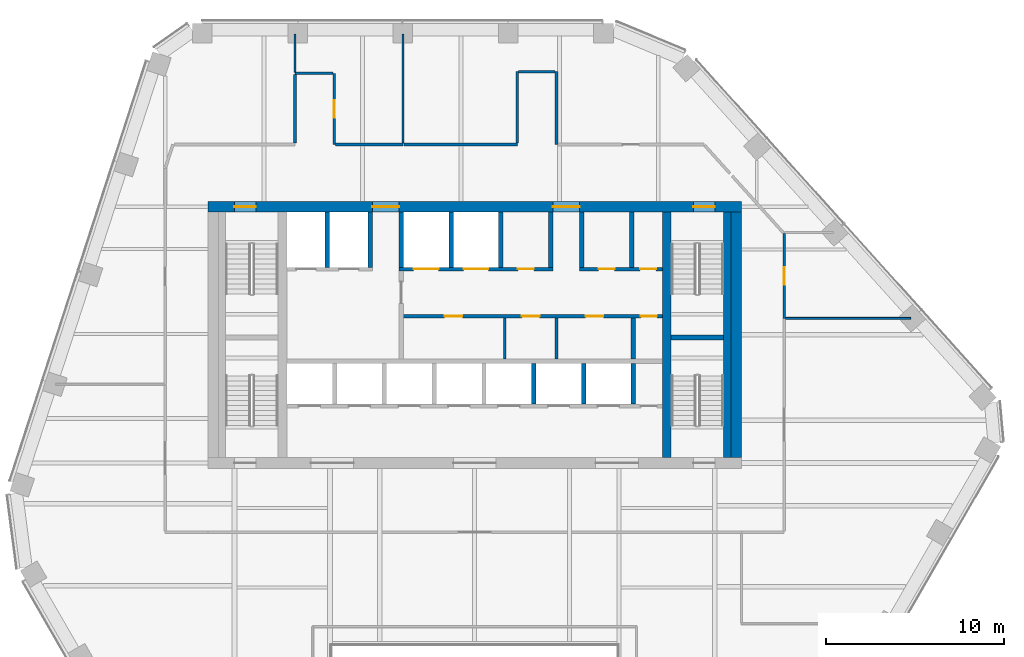
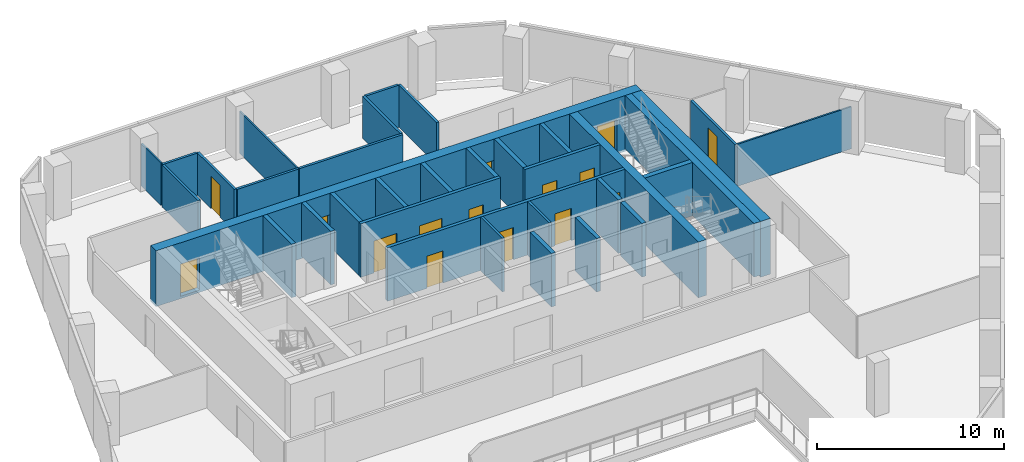
# One storey, part 10 of 15: 34 walls, 15 doors, 15 openings.
"""IFC4 building model written with IfcOpenShell, lengths in metres."""

from ifc_helpers import new_model, si_unit, direction, frame, frame_2d, origin, place, context, subcontext, project, spatial, rectangle, extrude, material, layer, layer_set, type_object, element, fill, save


model = new_model("IFC4")

# Units and contexts
model_context = context("Model", 3, precision=1e-05, world=origin(), true_north=direction((0.0, 1.0)))
body_context = subcontext(model_context, "Body", "Model", "MODEL_VIEW")
ifc_project = project(units=[si_unit("LENGTHUNIT", "METRE"), si_unit("AREAUNIT", "SQUARE_METRE"), si_unit("VOLUMEUNIT", "CUBIC_METRE"), si_unit("PLANEANGLEUNIT", "RADIAN"), si_unit("MASSUNIT", "GRAM", prefix="KILO")], contexts=[model_context])

# Site, building, storey
site_placement = place(None, origin())
site = spatial("IfcSite", under=ifc_project, at=site_placement, CompositionType="ELEMENT")
building_placement = place(site_placement, origin())
building = spatial("IfcBuilding", under=site, at=building_placement, Name="Isthmus Gate Tower", CompositionType="ELEMENT")
storey_placement = place(building_placement, frame((0.0, 0.0, 241.85009765625)))
storey = spatial("IfcBuildingStorey", under=building, at=storey_placement, Name="L61", CompositionType="ELEMENT", Elevation=241.85009765625)

# Wall, opening, door
ifc_material_1 = material(Name="Gypsum board on steel studs, fire-rated", Category="steel")
ifc_layer_1 = layer(ifc_material_1, 0.14990234375)
ifc_layer_set_1 = layer_set([ifc_layer_1], Name="CORRIDOR WALL 150 60 MIN")
wall_type_1 = type_object("IfcWallType", Name="CORRIDOR WALL 150 60 MIN", PredefinedType="PARTITIONING", material=ifc_layer_set_1)
wall_1_placement = place(storey_placement, frame((-7.89990234375, 22.199951171875, 0.0), z_axis=(0.0, 0.0, 1.0), x_axis=(0.0, -1.0, 0.0)))
wall_1 = element("IfcWall", 1, at=wall_1_placement, inside=storey, type_object=wall_type_1, Name="L61 Corridor Wall 150 60 Min", PredefinedType="PARTITIONING", context=body_context, shape_type="SweptSolid", body=[
    extrude(rectangle(XDim=4.0, YDim=0.14990234375, at=frame_2d((2.0, 0.0))), origin(), (0.0, 0.0, 1.0), 2.75048828125),
])
opening_1_placement = place(wall_1_placement, frame((1.5, 0.0, 0.0)))
opening_1 = element("IfcOpeningElement", 2, at=opening_1_placement, cuts=wall_1, Name="Opening DT-T5C-01", PredefinedType="OPENING", context=body_context, shape_type="SweptSolid", body=[
    extrude(rectangle(XDim=1.0, YDim=2.10009765625, at=frame_2d((0.5, 1.050048828125))), frame((0.0, 0.0849609375, 0.0), z_axis=(0.0, -1.0, 0.0), x_axis=(1.0, 0.0, 0.0)), (0.0, 0.0, 1.0), 0.169921875),
])
ifc_material_2 = material(Name="Solid core timber door leaf, fire-rated", Category="wood")
door_type_1 = type_object("IfcDoorType", Name="FIRE DOOR ROOM 1000 X 2100 60 MIN", OperationType="SINGLE_SWING_LEFT", PredefinedType="DOOR", material=ifc_material_2)
door_1_placement = place(opening_1_placement, origin())
door_1 = element("IfcDoor", 3, at=door_1_placement, inside=storey, type_object=door_type_1, Name="L61 room door", OperationType="SINGLE_SWING_RIGHT", OverallHeight=2.10009765625, OverallWidth=1.0, PredefinedType="DOOR", context=body_context, shape_type="SweptSolid", body=[
    extrude(rectangle(XDim=1.0, YDim=2.10009765625, at=frame_2d((0.5, 1.050048828125))), frame((0.0, 0.02490234375, 0.0), z_axis=(0.0, -1.0, 0.0), x_axis=(1.0, 0.0, 0.0)), (0.0, 0.0, 1.0), 0.050048828125),
])
fill(opening_1, door_1)

# Wall
wall_2_placement = place(storey_placement, frame((4.60009765625, 22.300048828125, 0.0), z_axis=(0.0, 0.0, 1.0), x_axis=(0.0, -1.0, 0.0)))
element("IfcWall", 4, at=wall_2_placement, inside=storey, type_object=wall_type_1, Name="L61 Corridor Wall 150 60 Min", PredefinedType="PARTITIONING", context=body_context, shape_type="SweptSolid", body=[
    extrude(rectangle(XDim=4.10009765625, YDim=0.14990234375, at=frame_2d((2.050048828125, 0.0))), origin(), (0.0, 0.0, 1.0), 2.75048828125),
])

# Wall, opening, door
wall_3_placement = place(storey_placement, frame((17.39990234375, 13.18603515625, 0.0), z_axis=(0.0, 0.0, 1.0), x_axis=(0.0, -1.0, 0.0)))
wall_3 = element("IfcWall", 5, at=wall_3_placement, inside=storey, type_object=wall_type_1, Name="L61 Corridor Wall 150 60 Min", PredefinedType="PARTITIONING", context=body_context, shape_type="SweptSolid", body=[
    extrude(rectangle(XDim=4.758056640625, YDim=0.14990234375, at=frame_2d((2.37890625, 0.0))), origin(), (0.0, 0.0, 1.0), 2.75048828125),
])
opening_2_placement = place(wall_3_placement, frame((1.87890625, 0.0, 0.0)))
opening_2 = element("IfcOpeningElement", 6, at=opening_2_placement, cuts=wall_3, Name="Opening DT-T5C-04", PredefinedType="OPENING", context=body_context, shape_type="SweptSolid", body=[
    extrude(rectangle(XDim=1.0, YDim=2.10009765625, at=frame_2d((0.5, 1.050048828125))), frame((0.0, 0.0849609375, 0.0), z_axis=(0.0, -1.0, 0.0), x_axis=(1.0, 0.0, 0.0)), (0.0, 0.0, 1.0), 0.169921875),
])
door_2_placement = place(opening_2_placement, origin())
door_2 = element("IfcDoor", 7, at=door_2_placement, inside=storey, type_object=door_type_1, Name="L61 room door", OperationType="SINGLE_SWING_RIGHT", OverallHeight=2.10009765625, OverallWidth=1.0, PredefinedType="DOOR", context=body_context, shape_type="SweptSolid", body=[
    extrude(rectangle(XDim=1.0, YDim=2.10009765625, at=frame_2d((0.5, 1.050048828125))), frame((0.0, 0.02490234375, 0.0), z_axis=(0.0, -1.0, 0.0), x_axis=(1.0, 0.0, 0.0)), (0.0, 0.0, 1.0), 0.050048828125),
])
fill(opening_2, door_2)

# Walls
wall_4_placement = place(storey_placement, frame((-10.10009765625, 22.199951171875, 0.0), z_axis=(0.0, 0.0, 1.0), x_axis=(1.0, 0.0, 0.0)))
element("IfcWall", 8, at=wall_4_placement, inside=storey, type_object=wall_type_1, Name="L61 Corridor Wall 150 60 Min", PredefinedType="PARTITIONING", context=body_context, shape_type="SweptSolid", body=[
    extrude(rectangle(XDim=2.125, YDim=0.14990234375, at=frame_2d((1.0625, 0.0))), origin(), (0.0, 0.0, 1.0), 2.75048828125),
])
wall_5_placement = place(storey_placement, frame((-7.824951171875, 18.199951171875, 0.0), z_axis=(0.0, 0.0, 1.0), x_axis=(1.0, 0.0, 0.0)))
element("IfcWall", 9, at=wall_5_placement, inside=storey, type_object=wall_type_1, Name="L61 Corridor Wall 150 60 Min", PredefinedType="PARTITIONING", context=body_context, shape_type="SweptSolid", body=[
    extrude(rectangle(XDim=3.794921875, YDim=0.14990234375, at=frame_2d((1.8974609375, 0.0))), origin(), (0.0, 0.0, 1.0), 2.75048828125),
])
wall_6_placement = place(storey_placement, frame((-10.10009765625, 18.27490234375, 0.0), z_axis=(0.0, 0.0, 1.0), x_axis=(0.0, 1.0, 0.0)))
element("IfcWall", 10, at=wall_6_placement, inside=storey, type_object=wall_type_1, Name="L61 Corridor Wall 150 60 Min", PredefinedType="PARTITIONING", context=body_context, shape_type="SweptSolid", body=[
    extrude(rectangle(XDim=3.85009765625, YDim=0.14990234375, at=frame_2d((1.925048828125, 0.0))), origin(), (0.0, 0.0, 1.0), 2.75048828125),
])
wall_7_placement = place(storey_placement, frame((-3.97998046875, 18.199951171875, 0.0), z_axis=(0.0, 0.0, 1.0), x_axis=(1.0, 0.0, 0.0)))
element("IfcWall", 11, at=wall_7_placement, inside=storey, type_object=wall_type_1, Name="L61 Corridor Wall 150 60 Min", PredefinedType="PARTITIONING", context=body_context, shape_type="SweptSolid", body=[
    extrude(rectangle(XDim=6.3798828125, YDim=0.14990234375, at=frame_2d((3.18994140625, 0.0))), origin(), (0.0, 0.0, 1.0), 2.75048828125),
])
wall_8_placement = place(storey_placement, frame((2.39990234375, 18.27490234375, 0.0), z_axis=(0.0, 0.0, 1.0), x_axis=(0.0, 1.0, 0.0)))
element("IfcWall", 12, at=wall_8_placement, inside=storey, type_object=wall_type_1, Name="L61 Corridor Wall 150 60 Min", PredefinedType="PARTITIONING", context=body_context, shape_type="SweptSolid", body=[
    extrude(rectangle(XDim=4.025146484375, YDim=0.14990234375, at=frame_2d((2.0126953125, 0.0))), origin(), (0.0, 0.0, 1.0), 2.75048828125),
])
wall_9_placement = place(storey_placement, frame((2.47509765625, 22.300048828125, 0.0), z_axis=(0.0, 0.0, 1.0), x_axis=(1.0, 0.0, 0.0)))
element("IfcWall", 13, at=wall_9_placement, inside=storey, type_object=wall_type_1, Name="L61 Corridor Wall 150 60 Min", PredefinedType="PARTITIONING", context=body_context, shape_type="SweptSolid", body=[
    extrude(rectangle(XDim=2.0498046875, YDim=0.14990234375, at=frame_2d((1.02490234375, 0.0))), origin(), (0.0, 0.0, 1.0), 2.75048828125),
])
ifc_material_3 = material(Name="Concrete f'c 50 MPa", Category="concrete")
ifc_layer_2 = layer(ifc_material_3, 0.5)
ifc_layer_set_2 = layer_set([ifc_layer_2], Name="RC CORE SPINE WALL 500 F'C 50")
wall_type_2 = type_object("IfcWallType", Name="RC CORE SPINE WALL 500 F'C 50", PredefinedType="SOLIDWALL", material=ifc_layer_set_2)
wall_10_placement = place(storey_placement, frame((10.800048828125, 0.60009765625, -0.150146484375), z_axis=(0.0, 0.0, 1.0), x_axis=(0.0, 1.0, 0.0)))
element("IfcWall", 14, at=wall_10_placement, inside=storey, type_object=wall_type_2, Name="str-corewall-L61-SPE", PredefinedType="SOLIDWALL", context=body_context, shape_type="SweptSolid", body=[
    extrude(rectangle(XDim=13.7998046875, YDim=0.5, at=frame_2d((6.89990234375, 0.0))), origin(), (0.0, 0.0, 1.0), 3.650146484375),
])

# Wall, openings, doors
ifc_material_4 = material(Name="Concrete f'c 50 MPa", Category="concrete")
ifc_layer_3 = layer(ifc_material_4, 0.60009765625)
ifc_layer_set_3 = layer_set([ifc_layer_3], Name="RC CORE WALL 600 F'C 50")
wall_type_3 = type_object("IfcWallType", Name="RC CORE WALL 600 F'C 50", PredefinedType="SOLIDWALL", material=ifc_layer_set_3)
wall_11_placement = place(storey_placement, frame((-15.0, 14.699951171875, -0.150146484375), z_axis=(0.0, 0.0, 1.0), x_axis=(1.0, 0.0, 0.0)))
wall_11 = element("IfcWall", 15, at=wall_11_placement, inside=storey, type_object=wall_type_3, Name="str-corewall-L61-N", PredefinedType="SOLIDWALL", context=body_context, shape_type="SweptSolid", body=[
    extrude(rectangle(XDim=30.0, YDim=0.60009765625, at=frame_2d((15.0, 0.0))), origin(), (0.0, 0.0, 1.0), 3.650146484375),
])
opening_3_placement = place(wall_11_placement, frame((9.25, 0.0, 0.14990234375)))
opening_3 = element("IfcOpeningElement", 16, at=opening_3_placement, cuts=wall_11, Name="Opening DC-A19-13", PredefinedType="OPENING", context=body_context, shape_type="SweptSolid", body=[
    extrude(rectangle(XDim=1.5, YDim=2.10009765625, at=frame_2d((0.75, 1.050048828125))), frame((0.0, 0.31005859375, 0.0), z_axis=(0.0, -1.0, 0.0), x_axis=(1.0, 0.0, 0.0)), (0.0, 0.0, 1.0), 0.6201171875),
])
opening_4_placement = place(wall_11_placement, frame((19.39990234375, 0.0, 0.14990234375)))
opening_4 = element("IfcOpeningElement", 17, at=opening_4_placement, cuts=wall_11, Name="Opening DC-A19-14", PredefinedType="OPENING", context=body_context, shape_type="SweptSolid", body=[
    extrude(rectangle(XDim=1.5, YDim=2.10009765625, at=frame_2d((0.75, 1.050048828125))), frame((0.0, 0.31005859375, 0.0), z_axis=(0.0, -1.0, 0.0), x_axis=(1.0, 0.0, 0.0)), (0.0, 0.0, 1.0), 0.6201171875),
])
opening_5_placement = place(wall_11_placement, frame((1.5, 0.0, 0.14990234375)))
opening_5 = element("IfcOpeningElement", 18, at=opening_5_placement, cuts=wall_11, Name="Opening DC-A19-15", PredefinedType="OPENING", context=body_context, shape_type="SweptSolid", body=[
    extrude(rectangle(XDim=1.199951171875, YDim=2.10009765625, at=frame_2d((0.60009765625, 1.050048828125))), frame((0.0, 0.31005859375, 0.0), z_axis=(0.0, -1.0, 0.0), x_axis=(1.0, 0.0, 0.0)), (0.0, 0.0, 1.0), 0.6201171875),
])
opening_6_placement = place(wall_11_placement, frame((27.300048828125, 0.0, 0.14990234375)))
opening_6 = element("IfcOpeningElement", 19, at=opening_6_placement, cuts=wall_11, Name="Opening DC-A19-16", PredefinedType="OPENING", context=body_context, shape_type="SweptSolid", body=[
    extrude(rectangle(XDim=1.199951171875, YDim=2.10009765625, at=frame_2d((0.60009765625, 1.050048828125))), frame((0.0, 0.31005859375, 0.0), z_axis=(0.0, -1.0, 0.0), x_axis=(1.0, 0.0, 0.0)), (0.0, 0.0, 1.0), 0.6201171875),
])
ifc_material_5 = material(Name="Steel door leaf, fire-rated", Category="steel")
door_type_2 = type_object("IfcDoorType", Name="LOBBY FIRE DOOR 1500 X 2100 60 MIN", OperationType="DOUBLE_DOOR_SINGLE_SWING", PredefinedType="DOOR", material=ifc_material_5)
door_3_placement = place(opening_4_placement, origin())
door_3 = element("IfcDoor", 20, at=door_3_placement, inside=storey, type_object=door_type_2, Name="Lobby Door PN-E", OperationType="DOUBLE_DOOR_SINGLE_SWING", OverallHeight=2.10009765625, OverallWidth=1.5, PredefinedType="DOOR", context=body_context, shape_type="SweptSolid", body=[
    extrude(rectangle(XDim=1.5, YDim=2.10009765625, at=frame_2d((0.75, 1.050048828125))), frame((0.0, 0.02490234375, 0.0), z_axis=(0.0, -1.0, 0.0), x_axis=(1.0, 0.0, 0.0)), (0.0, 0.0, 1.0), 0.050048828125),
])
fill(opening_4, door_3)
ifc_material_6 = material(Name="Steel door leaf, fire-rated", Category="steel")
door_type_3 = type_object("IfcDoorType", Name="LOBBY FIRE DOOR 1500 X 2100 90 MIN", OperationType="DOUBLE_DOOR_SINGLE_SWING", PredefinedType="DOOR", material=ifc_material_6)
door_4_placement = place(opening_3_placement, origin())
door_4 = element("IfcDoor", 21, at=door_4_placement, inside=storey, type_object=door_type_3, Name="Lobby Door PN-W", OperationType="DOUBLE_DOOR_SINGLE_SWING", OverallHeight=2.10009765625, OverallWidth=1.5, PredefinedType="DOOR", context=body_context, shape_type="SweptSolid", body=[
    extrude(rectangle(XDim=1.5, YDim=2.10009765625, at=frame_2d((0.75, 1.050048828125))), frame((0.0, 0.02490234375, 0.0), z_axis=(0.0, -1.0, 0.0), x_axis=(1.0, 0.0, 0.0)), (0.0, 0.0, 1.0), 0.050048828125),
])
fill(opening_3, door_4)
ifc_material_7 = material(Name="Steel door leaf, fire-rated", Category="steel")
door_type_4 = type_object("IfcDoorType", Name="STAIR FIRE DOOR 1200 X 2100 90 MIN", OperationType="SINGLE_SWING_LEFT", PredefinedType="DOOR", material=ifc_material_7)
door_5_placement = place(opening_5_placement, origin())
door_5 = element("IfcDoor", 22, at=door_5_placement, inside=storey, type_object=door_type_4, Name="Exit Stair 1 Door", OperationType="SINGLE_SWING_RIGHT", OverallHeight=2.10009765625, OverallWidth=1.199951171875, PredefinedType="DOOR", context=body_context, shape_type="SweptSolid", body=[
    extrude(rectangle(XDim=1.199951171875, YDim=2.10009765625, at=frame_2d((0.60009765625, 1.050048828125))), frame((0.0, 0.02490234375, 0.0), z_axis=(0.0, -1.0, 0.0), x_axis=(1.0, 0.0, 0.0)), (0.0, 0.0, 1.0), 0.050048828125),
])
fill(opening_5, door_5)
door_6_placement = place(opening_6_placement, origin())
door_6 = element("IfcDoor", 23, at=door_6_placement, inside=storey, type_object=door_type_4, Name="Exit Stair 2 Door", OperationType="SINGLE_SWING_LEFT", OverallHeight=2.10009765625, OverallWidth=1.199951171875, PredefinedType="DOOR", context=body_context, shape_type="SweptSolid", body=[
    extrude(rectangle(XDim=1.199951171875, YDim=2.10009765625, at=frame_2d((0.60009765625, 1.050048828125))), frame((0.0, 0.02490234375, 0.0), z_axis=(0.0, -1.0, 0.0), x_axis=(1.0, 0.0, 0.0)), (0.0, 0.0, 1.0), 0.050048828125),
])
fill(opening_6, door_6)

# Walls
wall_12_placement = place(storey_placement, frame((14.699951171875, 0.60009765625, -0.150146484375), z_axis=(0.0, 0.0, 1.0), x_axis=(0.0, 1.0, 0.0)))
element("IfcWall", 24, at=wall_12_placement, inside=storey, type_object=wall_type_3, Name="str-corewall-L61-E", PredefinedType="SOLIDWALL", context=body_context, shape_type="SweptSolid", body=[
    extrude(rectangle(XDim=13.7998046875, YDim=0.60009765625, at=frame_2d((6.89990234375, 0.0))), origin(), (0.0, 0.0, 1.0), 3.650146484375),
])
ifc_material_8 = material(Name="Gypsum board on steel studs, fire-rated", Category="steel")
ifc_layer_4 = layer(ifc_material_8, 0.10009765625)
ifc_layer_set_4 = layer_set([ifc_layer_4], Name="ROOM PARTITION 100 30 MIN")
wall_type_4 = type_object("IfcWallType", Name="ROOM PARTITION 100 30 MIN", PredefinedType="PARTITIONING", material=ifc_layer_set_4)
wall_13_placement = place(storey_placement, frame((-4.030029296875, 18.27490234375, 0.0), z_axis=(0.0, 0.0, 1.0), x_axis=(0.0, 1.0, 0.0)))
element("IfcWall", 25, at=wall_13_placement, inside=storey, type_object=wall_type_4, Name="L61 Room Partition 100 30 Min", PredefinedType="PARTITIONING", context=body_context, shape_type="SweptSolid", body=[
    extrude(rectangle(XDim=6.125, YDim=0.10009765625, at=frame_2d((3.0625, 0.0))), origin(), (0.0, 0.0, 1.0), 2.75048828125),
])
wall_14_placement = place(storey_placement, frame((-10.101806640625, 22.27490234375, 0.0), z_axis=(0.0, 0.0, 1.0), x_axis=(0.000804227681, 0.999999676609, 0.0)))
element("IfcWall", 26, at=wall_14_placement, inside=storey, type_object=wall_type_4, Name="L61 Room Partition 100 30 Min", PredefinedType="PARTITIONING", context=body_context, shape_type="SweptSolid", body=[
    extrude(rectangle(XDim=2.125, YDim=0.10009765625, at=frame_2d((1.0625, 0.0))), origin(), (0.0, 0.0, 1.0), 2.75048828125),
])
wall_15_placement = place(storey_placement, frame((17.47509765625, 8.427978515625, 0.0), z_axis=(0.0, 0.0, 1.0), x_axis=(1.0, 0.0, 0.0)))
element("IfcWall", 27, at=wall_15_placement, inside=storey, type_object=wall_type_4, Name="L61 Room Partition 100 30 Min", PredefinedType="PARTITIONING", context=body_context, shape_type="SweptSolid", body=[
    extrude(rectangle(XDim=7.034912109375, YDim=0.10009765625, at=frame_2d((3.517578125, 0.0))), origin(), (0.0, 0.0, 1.0), 2.75048828125),
])
ifc_material_9 = material(Name="Gypsum board on steel studs, fire-rated", Category="steel")
ifc_layer_5 = layer(ifc_material_9, 0.14990234375)
ifc_layer_set_5 = layer_set([ifc_layer_5], Name="ROOM PARTITION 150 60 MIN")
wall_type_5 = type_object("IfcWallType", Name="ROOM PARTITION 150 60 MIN", PredefinedType="PARTITIONING", material=ifc_layer_set_5)
for number, where, z_axis, x_axis, name in (
    (28, (1.699951171875, 6.14990234375, 0.0), (0.0, 0.0, 1.0), (0.0, 1.0, 0.0), "L61 ROOM PARTITION 150 60 MIN"),
    (29, (4.60009765625, 6.14990234375, 0.0), (0.0, 0.0, 1.0), (0.0, 1.0, 0.0), "L61 ROOM PARTITION 150 60 MIN"),
):
    element("IfcWall", number, at=place(storey_placement, frame(where, z_axis=z_axis, x_axis=x_axis)), inside=storey, type_object=wall_type_5, Name=name, PredefinedType="PARTITIONING", context=body_context, shape_type="SweptSolid", body=[
        extrude(rectangle(XDim=2.300048828125, YDim=0.14990234375, at=frame_2d((1.14990234375, 0.0))), origin(), (0.0, 0.0, 1.0), 3.5),
    ])

# Wall, openings, doors
ifc_material_10 = material(Name="Fire-rated blockwork masonry, 15 MPa", Category="masonry")
ifc_layer_6 = layer(ifc_material_10, 0.199951171875)
ifc_layer_set_6 = layer_set([ifc_layer_6], Name="SHAFT FRONT WALL 200 120 MIN")
wall_type_6 = type_object("IfcWallType", Name="SHAFT FRONT WALL 200 120 MIN", PredefinedType="PARTITIONING", material=ifc_layer_set_6)
wall_16_placement = place(storey_placement, frame((-4.125, 8.550048828125, 0.0), z_axis=(0.0, 0.0, 1.0), x_axis=(1.0, 0.0, 0.0)))
wall_16 = element("IfcWall", 30, at=wall_16_placement, inside=storey, type_object=wall_type_6, Name="L61 SHAFT FRONT WALL 200 120 MIN", PredefinedType="PARTITIONING", context=body_context, shape_type="SweptSolid", body=[
    extrude(rectangle(XDim=14.675048828125, YDim=0.199951171875, at=frame_2d((7.33740234375, 0.0))), origin(), (0.0, 0.0, 1.0), 3.5),
])
opening_7_placement = place(wall_16_placement, frame((2.4375, 0.0, 0.0)))
opening_7 = element("IfcOpeningElement", 31, at=opening_7_placement, cuts=wall_16, Name="Opening DC-A19-03", PredefinedType="OPENING", context=body_context, shape_type="SweptSolid", body=[
    extrude(rectangle(XDim=1.0, YDim=2.10009765625, at=frame_2d((0.5, 1.050048828125))), frame((0.0, 0.10986328125, 0.0), z_axis=(0.0, -1.0, 0.0), x_axis=(1.0, 0.0, 0.0)), (0.0, 0.0, 1.0), 0.219970703125),
])
opening_8_placement = place(wall_16_placement, frame((6.77490234375, 0.0, 0.0)))
opening_8 = element("IfcOpeningElement", 32, at=opening_8_placement, cuts=wall_16, Name="Opening DC-A19-04", PredefinedType="OPENING", context=body_context, shape_type="SweptSolid", body=[
    extrude(rectangle(XDim=1.0, YDim=2.10009765625, at=frame_2d((0.5, 1.050048828125))), frame((0.0, 0.10986328125, 0.0), z_axis=(0.0, -1.0, 0.0), x_axis=(1.0, 0.0, 0.0)), (0.0, 0.0, 1.0), 0.219970703125),
])
opening_9_placement = place(wall_16_placement, frame((10.362548828125, 0.0, 0.0)))
opening_9 = element("IfcOpeningElement", 33, at=opening_9_placement, cuts=wall_16, Name="Opening DC-A19-05", PredefinedType="OPENING", context=body_context, shape_type="SweptSolid", body=[
    extrude(rectangle(XDim=1.0, YDim=2.10009765625, at=frame_2d((0.5, 1.050048828125))), frame((0.0, 0.10986328125, 0.0), z_axis=(0.0, -1.0, 0.0), x_axis=(1.0, 0.0, 0.0)), (0.0, 0.0, 1.0), 0.219970703125),
])
opening_10_placement = place(wall_16_placement, frame((13.47509765625, 0.0, 0.0)))
opening_10 = element("IfcOpeningElement", 34, at=opening_10_placement, cuts=wall_16, Name="Opening DC-A19-06", PredefinedType="OPENING", context=body_context, shape_type="SweptSolid", body=[
    extrude(rectangle(XDim=0.89990234375, YDim=2.10009765625, at=frame_2d((0.449951171875, 1.050048828125))), frame((0.0, 0.10986328125, 0.0), z_axis=(0.0, -1.0, 0.0), x_axis=(1.0, 0.0, 0.0)), (0.0, 0.0, 1.0), 0.219970703125),
])
ifc_material_11 = material(Name="Steel door leaf, fire-rated", Category="steel")
door_type_5 = type_object("IfcDoorType", Name="FIRE DOOR 1000 X 2100 60 MIN", OperationType="SINGLE_SWING_LEFT", PredefinedType="DOOR", material=ifc_material_11)
door_7_placement = place(opening_7_placement, origin())
door_7 = element("IfcDoor", 35, at=door_7_placement, inside=storey, type_object=door_type_5, Name="WC Women Door", OperationType="SINGLE_SWING_LEFT", OverallHeight=2.10009765625, OverallWidth=1.0, PredefinedType="DOOR", context=body_context, shape_type="SweptSolid", body=[
    extrude(rectangle(XDim=1.0, YDim=2.10009765625, at=frame_2d((0.5, 1.050048828125))), frame((0.0, 0.02490234375, 0.0), z_axis=(0.0, -1.0, 0.0), x_axis=(1.0, 0.0, 0.0)), (0.0, 0.0, 1.0), 0.050048828125),
])
fill(opening_7, door_7)
door_8_placement = place(opening_8_placement, origin())
door_8 = element("IfcDoor", 36, at=door_8_placement, inside=storey, type_object=door_type_5, Name="Accessible WC Door", OperationType="SINGLE_SWING_RIGHT", OverallHeight=2.10009765625, OverallWidth=1.0, PredefinedType="DOOR", context=body_context, shape_type="SweptSolid", body=[
    extrude(rectangle(XDim=1.0, YDim=2.10009765625, at=frame_2d((0.5, 1.050048828125))), frame((0.0, 0.02490234375, 0.0), z_axis=(0.0, -1.0, 0.0), x_axis=(1.0, 0.0, 0.0)), (0.0, 0.0, 1.0), 0.050048828125),
])
fill(opening_8, door_8)
door_9_placement = place(opening_9_placement, origin())
door_9 = element("IfcDoor", 37, at=door_9_placement, inside=storey, type_object=door_type_5, Name="WC Men Door", OperationType="SINGLE_SWING_LEFT", OverallHeight=2.10009765625, OverallWidth=1.0, PredefinedType="DOOR", context=body_context, shape_type="SweptSolid", body=[
    extrude(rectangle(XDim=1.0, YDim=2.10009765625, at=frame_2d((0.5, 1.050048828125))), frame((0.0, 0.02490234375, 0.0), z_axis=(0.0, -1.0, 0.0), x_axis=(1.0, 0.0, 0.0)), (0.0, 0.0, 1.0), 0.050048828125),
])
fill(opening_9, door_9)
ifc_material_12 = material(Name="Steel door leaf, fire-rated", Category="steel")
door_type_6 = type_object("IfcDoorType", Name="RISER FIRE DOOR 900 X 2100 90 MIN", OperationType="SINGLE_SWING_LEFT", PredefinedType="DOOR", material=ifc_material_12)
door_10_placement = place(opening_10_placement, origin())
door_10 = element("IfcDoor", 38, at=door_10_placement, inside=storey, type_object=door_type_6, Name="Riser Door", OperationType="SINGLE_SWING_RIGHT", OverallHeight=2.10009765625, OverallWidth=0.89990234375, PredefinedType="DOOR", context=body_context, shape_type="SweptSolid", body=[
    extrude(rectangle(XDim=0.89990234375, YDim=2.10009765625, at=frame_2d((0.449951171875, 1.050048828125))), frame((0.0, 0.02490234375, 0.0), z_axis=(0.0, -1.0, 0.0), x_axis=(1.0, 0.0, 0.0)), (0.0, 0.0, 1.0), 0.050048828125),
])
fill(opening_10, door_10)

wall_17_placement = place(storey_placement, frame((-4.25, 11.199951171875, 0.0), z_axis=(0.0, 0.0, 1.0), x_axis=(1.0, 0.0, 0.0)))
wall_17 = element("IfcWall", 39, at=wall_17_placement, inside=storey, type_object=wall_type_6, Name="L61 SHAFT FRONT WALL 200 120 MIN", PredefinedType="PARTITIONING", context=body_context, shape_type="SweptSolid", body=[
    extrude(rectangle(XDim=8.64990234375, YDim=0.199951171875, at=frame_2d((4.324951171875, 0.0))), origin(), (0.0, 0.0, 1.0), 3.5),
])
opening_11_placement = place(wall_17_placement, frame((0.824951171875, 0.0, 0.0)))
opening_11 = element("IfcOpeningElement", 40, at=opening_11_placement, cuts=wall_17, Name="Opening LD-LV1", PredefinedType="OPENING", context=body_context, shape_type="SweptSolid", body=[
    extrude(rectangle(XDim=1.39990234375, YDim=2.10009765625, at=frame_2d((0.699951171875, 1.050048828125))), frame((0.0, 0.10986328125, 0.0), z_axis=(0.0, -1.0, 0.0), x_axis=(1.0, 0.0, 0.0)), (0.0, 0.0, 1.0), 0.219970703125),
])
opening_12_placement = place(wall_17_placement, frame((3.625, 0.0, 0.0)))
opening_12 = element("IfcOpeningElement", 41, at=opening_12_placement, cuts=wall_17, Name="Opening LD-LV2", PredefinedType="OPENING", context=body_context, shape_type="SweptSolid", body=[
    extrude(rectangle(XDim=1.39990234375, YDim=2.10009765625, at=frame_2d((0.699951171875, 1.050048828125))), frame((0.0, 0.10986328125, 0.0), z_axis=(0.0, -1.0, 0.0), x_axis=(1.0, 0.0, 0.0)), (0.0, 0.0, 1.0), 0.219970703125),
])
opening_13_placement = place(wall_17_placement, frame((6.675048828125, 0.0, 0.0)))
opening_13 = element("IfcOpeningElement", 42, at=opening_13_placement, cuts=wall_17, Name="Opening DC-A19-07", PredefinedType="OPENING", context=body_context, shape_type="SweptSolid", body=[
    extrude(rectangle(XDim=0.89990234375, YDim=2.10009765625, at=frame_2d((0.449951171875, 1.050048828125))), frame((0.0, 0.10986328125, 0.0), z_axis=(0.0, -1.0, 0.0), x_axis=(1.0, 0.0, 0.0)), (0.0, 0.0, 1.0), 0.219970703125),
])
ifc_material_13 = material(Name="Steel door leaf, fire-rated", Category="steel")
door_type_7 = type_object("IfcDoorType", Name="FIRE DOOR 900 X 2100 60 MIN", OperationType="SINGLE_SWING_LEFT", PredefinedType="DOOR", material=ifc_material_13)
door_11_placement = place(opening_13_placement, origin())
door_11 = element("IfcDoor", 43, at=door_11_placement, inside=storey, type_object=door_type_7, Name="Comms Room Door", OperationType="SINGLE_SWING_LEFT", OverallHeight=2.10009765625, OverallWidth=0.89990234375, PredefinedType="DOOR", context=body_context, shape_type="SweptSolid", body=[
    extrude(rectangle(XDim=0.89990234375, YDim=2.10009765625, at=frame_2d((0.449951171875, 1.050048828125))), frame((0.0, 0.02490234375, 0.0), z_axis=(0.0, -1.0, 0.0), x_axis=(1.0, 0.0, 0.0)), (0.0, 0.0, 1.0), 0.050048828125),
])
fill(opening_13, door_11)
ifc_material_14 = material(Name="Stainless steel sliding leaf", Category="steel")
door_type_8 = type_object("IfcDoorType", Name="LIFT LANDING FIRE DOOR 1400 X 2100 90 MIN", OperationType="DOUBLE_DOOR_SLIDING", PredefinedType="DOOR", material=ifc_material_14)
door_12_placement = place(opening_11_placement, origin())
door_12 = element("IfcDoor", 44, at=door_12_placement, inside=storey, type_object=door_type_8, Name="Lift Landing Door LV1", OperationType="DOUBLE_DOOR_SLIDING", OverallHeight=2.10009765625, OverallWidth=1.39990234375, PredefinedType="DOOR", context=body_context, shape_type="SweptSolid", body=[
    extrude(rectangle(XDim=1.39990234375, YDim=2.10009765625, at=frame_2d((0.699951171875, 1.050048828125))), frame((0.0, 0.02490234375, 0.0), z_axis=(0.0, -1.0, 0.0), x_axis=(1.0, 0.0, 0.0)), (0.0, 0.0, 1.0), 0.050048828125),
])
fill(opening_11, door_12)
door_13_placement = place(opening_12_placement, origin())
door_13 = element("IfcDoor", 45, at=door_13_placement, inside=storey, type_object=door_type_8, Name="Lift Landing Door LV2", OperationType="DOUBLE_DOOR_SLIDING", OverallHeight=2.10009765625, OverallWidth=1.39990234375, PredefinedType="DOOR", context=body_context, shape_type="SweptSolid", body=[
    extrude(rectangle(XDim=1.39990234375, YDim=2.10009765625, at=frame_2d((0.699951171875, 1.050048828125))), frame((0.0, 0.02490234375, 0.0), z_axis=(0.0, -1.0, 0.0), x_axis=(1.0, 0.0, 0.0)), (0.0, 0.0, 1.0), 0.050048828125),
])
fill(opening_12, door_13)

wall_18_placement = place(storey_placement, frame((5.89990234375, 11.199951171875, 0.0), z_axis=(0.0, 0.0, 1.0), x_axis=(1.0, 0.0, 0.0)))
wall_18 = element("IfcWall", 46, at=wall_18_placement, inside=storey, type_object=wall_type_6, Name="L61 SHAFT FRONT WALL 200 120 MIN", PredefinedType="PARTITIONING", context=body_context, shape_type="SweptSolid", body=[
    extrude(rectangle(XDim=4.650146484375, YDim=0.199951171875, at=frame_2d((2.3251953125, 0.0))), origin(), (0.0, 0.0, 1.0), 3.5),
])
opening_14_placement = place(wall_18_placement, frame((1.074951171875, 0.0, 0.0)))
opening_14 = element("IfcOpeningElement", 47, at=opening_14_placement, cuts=wall_18, Name="Opening DC-A19-08", PredefinedType="OPENING", context=body_context, shape_type="SweptSolid", body=[
    extrude(rectangle(XDim=0.89990234375, YDim=2.10009765625, at=frame_2d((0.449951171875, 1.050048828125))), frame((0.0, 0.10986328125, 0.0), z_axis=(0.0, -1.0, 0.0), x_axis=(1.0, 0.0, 0.0)), (0.0, 0.0, 1.0), 0.219970703125),
])
opening_15_placement = place(wall_18_placement, frame((3.39990234375, 0.0, 0.0)))
opening_15 = element("IfcOpeningElement", 48, at=opening_15_placement, cuts=wall_18, Name="Opening DC-A19-09", PredefinedType="OPENING", context=body_context, shape_type="SweptSolid", body=[
    extrude(rectangle(XDim=0.89990234375, YDim=2.10009765625, at=frame_2d((0.449951171875, 1.050048828125))), frame((0.0, 0.10986328125, 0.0), z_axis=(0.0, -1.0, 0.0), x_axis=(1.0, 0.0, 0.0)), (0.0, 0.0, 1.0), 0.219970703125),
])
door_14_placement = place(opening_14_placement, origin())
door_14 = element("IfcDoor", 49, at=door_14_placement, inside=storey, type_object=door_type_7, Name="Stationery Store Door", OperationType="SINGLE_SWING_RIGHT", OverallHeight=2.10009765625, OverallWidth=0.89990234375, PredefinedType="DOOR", context=body_context, shape_type="SweptSolid", body=[
    extrude(rectangle(XDim=0.89990234375, YDim=2.10009765625, at=frame_2d((0.449951171875, 1.050048828125))), frame((0.0, 0.02490234375, 0.0), z_axis=(0.0, -1.0, 0.0), x_axis=(1.0, 0.0, 0.0)), (0.0, 0.0, 1.0), 0.050048828125),
])
fill(opening_14, door_14)
door_15_placement = place(opening_15_placement, origin())
door_15 = element("IfcDoor", 50, at=door_15_placement, inside=storey, type_object=door_type_6, Name="Riser Door", OperationType="SINGLE_SWING_LEFT", OverallHeight=2.10009765625, OverallWidth=0.89990234375, PredefinedType="DOOR", context=body_context, shape_type="SweptSolid", body=[
    extrude(rectangle(XDim=0.89990234375, YDim=2.10009765625, at=frame_2d((0.449951171875, 1.050048828125))), frame((0.0, 0.02490234375, 0.0), z_axis=(0.0, -1.0, 0.0), x_axis=(1.0, 0.0, 0.0)), (0.0, 0.0, 1.0), 0.050048828125),
])
fill(opening_15, door_15)

# Walls
ifc_material_15 = material(Name="Fire-rated blockwork masonry, 15 MPa", Category="masonry")
ifc_layer_7 = layer(ifc_material_15, 0.25)
ifc_layer_set_7 = layer_set([ifc_layer_7], Name="SHAFT WALL 250 120 MIN")
wall_type_7 = type_object("IfcWallType", Name="SHAFT WALL 250 120 MIN", PredefinedType="PARTITIONING", material=ifc_layer_set_7)
for number, where, z_axis, x_axis, name in (
    (51, (3.324951171875, 3.60009765625, 0.0), (0.0, 0.0, 1.0), (0.0, 1.0, 0.0), "L61 SHAFT WALL 250 120 MIN"),
    (52, (6.125, 3.60009765625, 0.0), (0.0, 0.0, 1.0), (0.0, 1.0, 0.0), "L61 SHAFT WALL 250 120 MIN"),
    (53, (8.925048828125, 3.60009765625, 0.0), (0.0, 0.0, 1.0), (0.0, 1.0, 0.0), "L61 SHAFT WALL 250 120 MIN"),
):
    element("IfcWall", number, at=place(storey_placement, frame(where, z_axis=z_axis, x_axis=x_axis)), inside=storey, type_object=wall_type_7, Name=name, PredefinedType="PARTITIONING", context=body_context, shape_type="SweptSolid", body=[
        extrude(rectangle(XDim=2.2998046875, YDim=0.25, at=frame_2d((1.14990234375, 0.0))), origin(), (0.0, 0.0, 1.0), 3.5),
    ])
wall_19_placement = place(storey_placement, frame((8.925048828125, 6.14990234375, 0.0), z_axis=(0.0, 0.0, 1.0), x_axis=(0.0, 1.0, 0.0)))
element("IfcWall", 54, at=wall_19_placement, inside=storey, type_object=wall_type_7, Name="L61 SHAFT WALL 250 120 MIN", PredefinedType="PARTITIONING", context=body_context, shape_type="SweptSolid", body=[
    extrude(rectangle(XDim=2.300048828125, YDim=0.25, at=frame_2d((1.14990234375, 0.0))), origin(), (0.0, 0.0, 1.0), 3.5),
])
for number, where, z_axis, x_axis, name in (
    (55, (-8.27490234375, 11.300048828125, 0.0), (0.0, 0.0, 1.0), (0.0, 1.0, 0.0), "L61 SHAFT WALL 250 120 MIN"),
    (56, (-5.875, 11.300048828125, 0.0), (0.0, 0.0, 1.0), (0.0, 1.0, 0.0), "L61 SHAFT WALL 250 120 MIN"),
    (57, (-4.125, 11.300048828125, 0.0), (0.0, 0.0, 1.0), (0.0, 1.0, 0.0), "L61 SHAFT WALL 250 120 MIN"),
    (58, (-1.324951171875, 11.300048828125, 0.0), (0.0, 0.0, 1.0), (0.0, 1.0, 0.0), "L61 SHAFT WALL 250 120 MIN"),
    (59, (1.47509765625, 11.300048828125, 0.0), (0.0, 0.0, 1.0), (0.0, 1.0, 0.0), "L61 SHAFT WALL 250 120 MIN"),
    (60, (4.27490234375, 11.300048828125, 0.0), (0.0, 0.0, 1.0), (0.0, 1.0, 0.0), "L61 SHAFT WALL 250 120 MIN"),
    (61, (6.02490234375, 11.300048828125, 0.0), (0.0, 0.0, 1.0), (0.0, 1.0, 0.0), "L61 SHAFT WALL 250 120 MIN"),
    (62, (8.824951171875, 11.300048828125, 0.0), (0.0, 0.0, 1.0), (0.0, 1.0, 0.0), "L61 SHAFT WALL 250 120 MIN"),
):
    element("IfcWall", number, at=place(storey_placement, frame(where, z_axis=z_axis, x_axis=x_axis)), inside=storey, type_object=wall_type_7, Name=name, PredefinedType="PARTITIONING", context=body_context, shape_type="SweptSolid", body=[
        extrude(rectangle(XDim=3.099853515625, YDim=0.25, at=frame_2d((1.5498046875, 0.0))), origin(), (0.0, 0.0, 1.0), 3.5),
    ])
ifc_material_16 = material(Name="Concrete f'c 40 MPa", Category="concrete")
ifc_layer_8 = layer(ifc_material_16, 0.300048828125)
ifc_layer_set_8 = layer_set([ifc_layer_8], Name="STAIR ENCLOSURE WALL 300 180 MIN")
wall_type_8 = type_object("IfcWallType", Name="STAIR ENCLOSURE WALL 300 180 MIN", PredefinedType="SOLIDWALL", material=ifc_layer_set_8)
wall_20_placement = place(storey_placement, frame((11.050048828125, 7.35009765625, 0.0), z_axis=(0.0, 0.0, 1.0), x_axis=(1.0, 0.0, 0.0)))
element("IfcWall", 63, at=wall_20_placement, inside=storey, type_object=wall_type_8, Name="L61 STAIR ENCLOSURE WALL 300 180 MIN", PredefinedType="SOLIDWALL", context=body_context, shape_type="SweptSolid", body=[
    extrude(rectangle(XDim=2.949951171875, YDim=0.300048828125, at=frame_2d((1.47509765625, 0.0))), origin(), (0.0, 0.0, 1.0), 3.5),
])
ifc_material_17 = material(Name="Concrete f'c 40 MPa", Category="concrete")
ifc_layer_9 = layer(ifc_material_17, 0.39990234375)
ifc_layer_set_9 = layer_set([ifc_layer_9], Name="STAIR ENCLOSURE WALL 400 180 MIN")
wall_type_9 = type_object("IfcWallType", Name="STAIR ENCLOSURE WALL 400 180 MIN", PredefinedType="SOLIDWALL", material=ifc_layer_set_9)
wall_21_placement = place(storey_placement, frame((14.199951171875, 0.60009765625, 0.0), z_axis=(0.0, 0.0, 1.0), x_axis=(0.0, 1.0, 0.0)))
element("IfcWall", 64, at=wall_21_placement, inside=storey, type_object=wall_type_9, Name="L61 STAIR ENCLOSURE WALL 400 180 MIN", PredefinedType="SOLIDWALL", context=body_context, shape_type="SweptSolid", body=[
    extrude(rectangle(XDim=13.7998046875, YDim=0.39990234375, at=frame_2d((6.89990234375, 0.0))), origin(), (0.0, 0.0, 1.0), 3.5),
])

save(model, "model.ifc")
